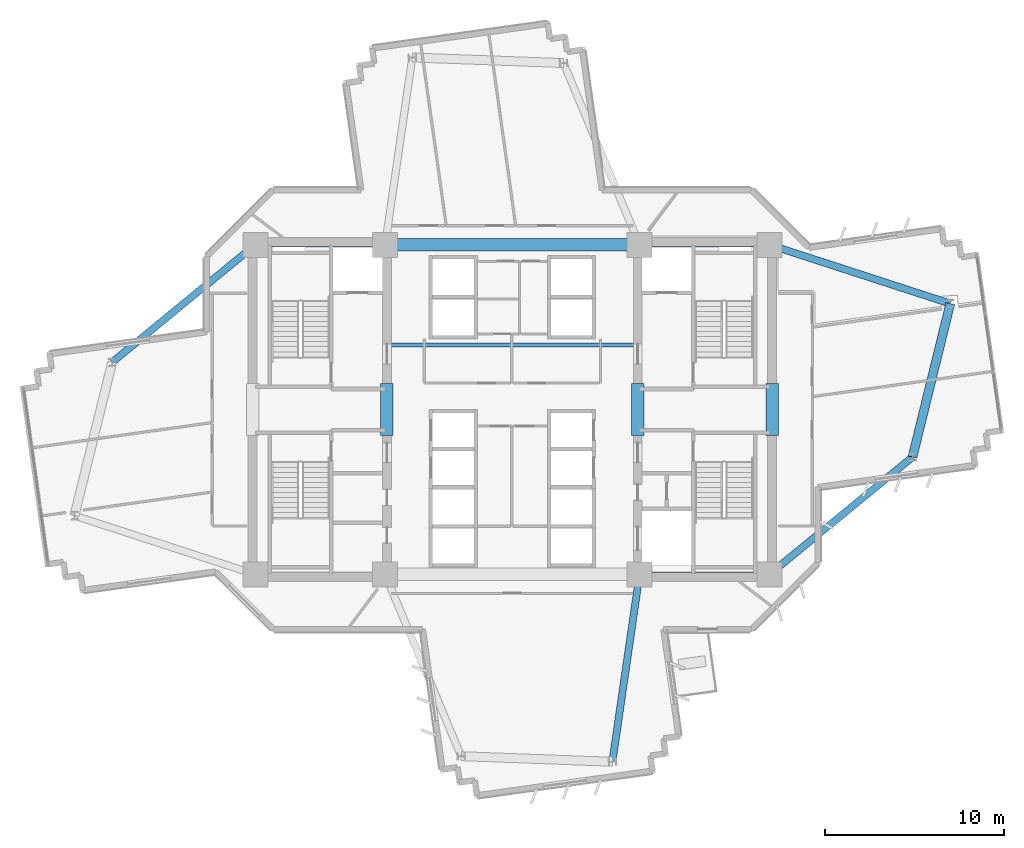
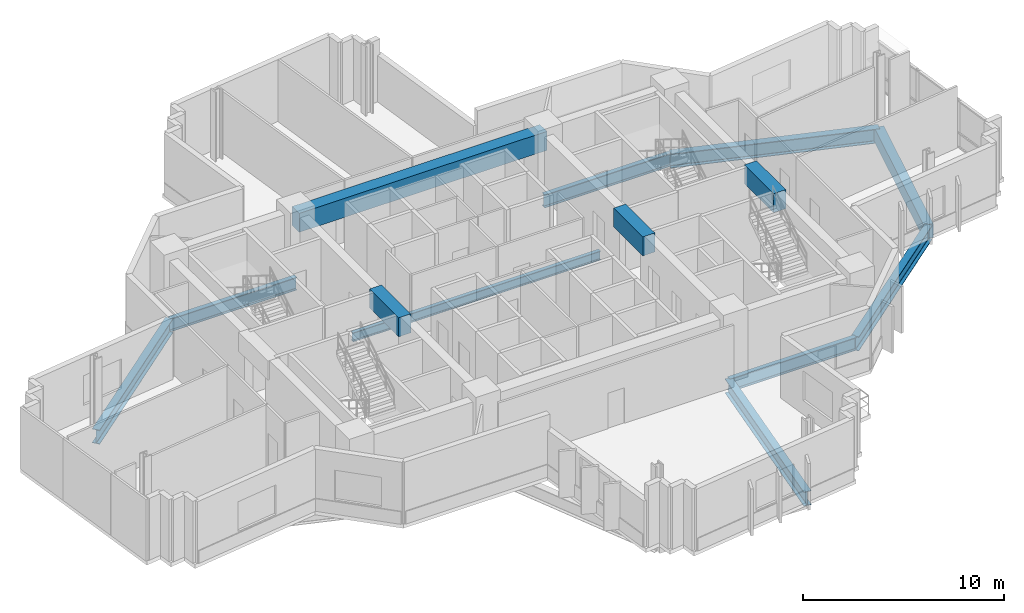
# One storey, part 3 of 14: 13 beams.
"""IFC4 building model written with IfcOpenShell, lengths in metres."""

from ifc_helpers import new_model, si_unit, direction, frame, origin, origin_2d, place, context, subcontext, project, spatial, rectangle, i_section, extrude, source, transform, mapped, material, material_profile, profile_set, type_object, element, save


model = new_model("IFC4")

# Units and contexts
model_context = context("Model", 3, precision=1e-05, world=origin(), true_north=direction((0.0, 1.0)))
body_context = subcontext(model_context, "Body", "Model", "MODEL_VIEW")
ifc_project = project(units=[si_unit("LENGTHUNIT", "METRE"), si_unit("AREAUNIT", "SQUARE_METRE"), si_unit("VOLUMEUNIT", "CUBIC_METRE"), si_unit("PLANEANGLEUNIT", "RADIAN"), si_unit("MASSUNIT", "GRAM", prefix="KILO")], contexts=[model_context])

# Site, building, storey
site_placement = place(None, origin())
site = spatial("IfcSite", under=ifc_project, at=site_placement, CompositionType="ELEMENT")
building_placement = place(site_placement, origin())
building = spatial("IfcBuilding", under=site, at=building_placement, Name="Zahravan Cultural Tower", CompositionType="ELEMENT")
storey_placement = place(building_placement, frame((0.0, 0.0, 121.5)))
storey = spatial("IfcBuildingStorey", under=building, at=storey_placement, Name="L27", CompositionType="ELEMENT", Elevation=121.5)

# Beams
ifc_material_1 = material(Name="Concrete C50/60", Category="concrete")
ifc_material_profile_1 = material_profile(ifc_material_1, rectangle(XDim=0.699951171875, YDim=1.14990234375, at=origin_2d()), Name="RC700X1150")
ifc_profile_set_1 = profile_set([ifc_material_profile_1], Name="Concrete C50/60")
beam_type_1 = type_object("IfcBeamType", Name="BM-LN-RC700X1150", PredefinedType="LINTEL", material=ifc_profile_set_1)
shared_shape_1 = source(origin(), body_context, "Body", "SweptSolid", [
    extrude(rectangle(XDim=0.699951171875, YDim=1.14990234375, at=origin_2d()), origin(), (0.0, 0.0, 1.0), 14.2001953125),
])
beam_1_placement = place(storey_placement, frame((28.89990234375, 36.199951171875, 3.175048828125), z_axis=(1.0, 0.0, 0.0), x_axis=(0.0, 1.0, 0.0)))
element("IfcBeam", 1, at=beam_1_placement, inside=storey, type_object=beam_type_1, Name="L27 Beam LN-L27-N", PredefinedType="LINTEL", context=body_context, shape_type="MappedRepresentation", body=[
    mapped(shared_shape_1, transform((0.0, 0.0, 0.0), x_axis=(1.0, 0.0, 0.0), y_axis=(0.0, 1.0, 0.0), z_axis=(0.0, 0.0, 1.0), scale=1.0)),
])
shared_shape_2 = source(origin(), body_context, "Body", "SweptSolid", [
    extrude(rectangle(XDim=0.699951171875, YDim=1.14990234375, at=origin_2d()), origin(), (0.0, 0.0, 1.0), 2.89990234375),
])
for number, where, z_axis, x_axis, name in (
    (2, (29.0, 25.550048828125, 3.175048828125), (0.0, 1.0, 0.0), (-1.0, 0.0, 0.0), "L27 Beam LN-L27-PWE"),
    (3, (43.0, 25.550048828125, 3.175048828125), (0.0, 1.0, 0.0), (-1.0, 0.0, 0.0), "L27 Beam LN-L27-PEW"),
    (4, (50.5, 25.550048828125, 3.175048828125), (0.0, 1.0, 0.0), (-1.0, 0.0, 0.0), "L27 Beam LN-L27-PEE"),
):
    element("IfcBeam", number, at=place(storey_placement, frame(where, z_axis=z_axis, x_axis=x_axis)), inside=storey, type_object=beam_type_1, Name=name, PredefinedType="LINTEL", context=body_context, shape_type="MappedRepresentation", body=[
        mapped(shared_shape_2, transform((0.0, 0.0, 0.0), x_axis=(1.0, 0.0, 0.0), y_axis=(0.0, 1.0, 0.0), z_axis=(0.0, 0.0, 1.0), scale=1.0)),
    ])
ifc_material_2 = material(Name="Steel ASTM A992 Grade 50", Category="steel")
ifc_material_profile_2 = material_profile(ifc_material_2, i_section(OverallWidth=0.26611328125, OverallDepth=0.780029296875, WebThickness=0.0166015625, FlangeThickness=0.030029296875, FilletRadius=0.01904296875, at=origin_2d()), Name="W30X148")
ifc_profile_set_2 = profile_set([ifc_material_profile_2], Name="Steel ASTM A992 Grade 50")
beam_type_2 = type_object("IfcBeamType", Name="BM-G-W30X148", PredefinedType="BEAM", material=ifc_profile_set_2)
shared_shape_3 = source(origin(), body_context, "Body", "SweptSolid", [
    extrude(i_section(OverallWidth=0.26611328125, OverallDepth=0.780029296875, WebThickness=0.0166015625, FlangeThickness=0.030029296875, FilletRadius=0.01904296875, at=origin_2d()), origin(), (0.0, 0.0, 1.0), 7.25),
])
for number, where, z_axis, x_axis, name in (
    (5, (21.64990234375, 36.199951171875, -0.639892578125), (1.0, 0.0, 0.0), (0.0, 1.0, 0.0), "L27 Beam BG-L27-02"),
    (6, (43.10009765625, 17.800048828125, -0.639892578125), (1.0, 0.0, 0.0), (0.0, 1.0, 0.0), "L27 Beam BG-L27-04"),
    (7, (43.10009765625, 36.199951171875, -0.639892578125), (1.0, 0.0, 0.0), (0.0, 1.0, 0.0), "L27 Beam BG-L27-05"),
):
    element("IfcBeam", number, at=place(storey_placement, frame(where, z_axis=z_axis, x_axis=x_axis)), inside=storey, type_object=beam_type_2, Name=name, PredefinedType="BEAM", context=body_context, shape_type="MappedRepresentation", body=[
        mapped(shared_shape_3, transform((0.0, 0.0, 0.0), x_axis=(1.0, 0.0, 0.0), y_axis=(0.0, 1.0, 0.0), z_axis=(0.0, 0.0, 1.0), scale=1.0)),
    ])
ifc_material_profile_3 = material_profile(ifc_material_1, rectangle(XDim=0.5, YDim=0.85009765625, at=origin_2d()), Name="RC500X850")
ifc_profile_set_3 = profile_set([ifc_material_profile_3], Name="Concrete C50/60")
beam_type_3 = type_object("IfcBeamType", Name="BM-SP-RC500X850", PredefinedType="SPANDREL", material=ifc_profile_set_3)
shared_shape_4 = source(origin(), body_context, "Body", "SweptSolid", [
    extrude(rectangle(XDim=0.5, YDim=0.85009765625, at=origin_2d()), origin(), (0.0, 0.0, 1.0), 8.8232421875),
])
beam_2_placement = place(storey_placement, frame((58.339111328125, 24.351806640625, -0.675048828125), z_axis=(0.238848860516, 0.971056755206, 0.0), x_axis=(-0.971056755206, 0.238848860516, 0.0)))
element("IfcBeam", 8, at=beam_2_placement, inside=storey, type_object=beam_type_3, Name="L27 Beam SP-L27-16", PredefinedType="SPANDREL", context=body_context, shape_type="MappedRepresentation", body=[
    mapped(shared_shape_4, transform((0.0, 0.0, 0.0), x_axis=(1.0, 0.0, 0.0), y_axis=(0.0, 1.0, 0.0), z_axis=(0.0, 0.0, 1.0), scale=1.0)),
])
ifc_material_profile_4 = material_profile(ifc_material_2, i_section(OverallWidth=0.39990234375, OverallDepth=0.862060546875, WebThickness=0.019775390625, FlangeThickness=0.032470703125, FilletRadius=0.02001953125, at=origin_2d()), Name="W33X221")
ifc_profile_set_4 = profile_set([ifc_material_profile_4], Name="Steel ASTM A992 Grade 50")
beam_type_4 = type_object("IfcBeamType", Name="BM-G-W33X221", PredefinedType="BEAM", material=ifc_profile_set_4)
shared_shape_5 = source(origin(), body_context, "Body", "SweptSolid", [
    extrude(i_section(OverallWidth=0.39990234375, OverallDepth=0.862060546875, WebThickness=0.019775390625, FlangeThickness=0.032470703125, FilletRadius=0.02001953125, at=origin_2d()), origin(), (0.0, 0.0, 1.0), 10.615966796875),
])
beam_3_placement = place(storey_placement, frame((50.35009765625, 36.199951171875, -0.680908203125), z_axis=(0.951063640083, -0.30899506875, 0.0), x_axis=(0.30899506875, 0.951063640083, 0.0)))
element("IfcBeam", 9, at=beam_3_placement, inside=storey, type_object=beam_type_4, Name="L27 Beam BG-L27-11", PredefinedType="BEAM", context=body_context, shape_type="MappedRepresentation", body=[
    mapped(shared_shape_5, transform((0.0, 0.0, 0.0), x_axis=(1.0, 0.0, 0.0), y_axis=(0.0, 1.0, 0.0), z_axis=(0.0, 0.0, 1.0), scale=1.0)),
])
shared_shape_6 = source(origin(), body_context, "Body", "SweptSolid", [
    extrude(i_section(OverallWidth=0.39990234375, OverallDepth=0.862060546875, WebThickness=0.019775390625, FlangeThickness=0.032470703125, FilletRadius=0.02001953125, at=origin_2d()), origin(), (0.0, 0.0, 1.0), 10.5673828125),
])
beam_4_placement = place(storey_placement, frame((43.10009765625, 17.800048828125, -0.680908203125), z_axis=(-0.143377913539, -0.989668011966, 0.0), x_axis=(0.989668011966, -0.143377913539, 0.0)))
element("IfcBeam", 10, at=beam_4_placement, inside=storey, type_object=beam_type_4, Name="L27 Beam BG-L27-09", PredefinedType="BEAM", context=body_context, shape_type="MappedRepresentation", body=[
    mapped(shared_shape_6, transform((0.0, 0.0, 0.0), x_axis=(1.0, 0.0, 0.0), y_axis=(0.0, 1.0, 0.0), z_axis=(0.0, 0.0, 1.0), scale=1.0)),
])
shared_shape_7 = source(origin(), body_context, "Body", "SweptSolid", [
    extrude(i_section(OverallWidth=0.39990234375, OverallDepth=0.862060546875, WebThickness=0.019775390625, FlangeThickness=0.032470703125, FilletRadius=0.02001953125, at=origin_2d()), origin(), (0.0, 0.0, 1.0), 10.33203125),
])
for number, where, z_axis, x_axis, name in (
    (11, (50.35009765625, 17.800048828125, -0.680908203125), (0.773231409473, 0.634123952713, 0.0), (-0.634123952713, 0.773231409473, 0.0), "L27 Beam BG-L27-10"),
    (12, (21.64990234375, 36.199951171875, -0.680908203125), (-0.773231409473, -0.634123952713, 0.0), (0.634123952713, -0.773231409473, 0.0), "L27 Beam BG-L27-14"),
):
    element("IfcBeam", number, at=place(storey_placement, frame(where, z_axis=z_axis, x_axis=x_axis)), inside=storey, type_object=beam_type_4, Name=name, PredefinedType="BEAM", context=body_context, shape_type="MappedRepresentation", body=[
        mapped(shared_shape_7, transform((0.0, 0.0, 0.0), x_axis=(1.0, 0.0, 0.0), y_axis=(0.0, 1.0, 0.0), z_axis=(0.0, 0.0, 1.0), scale=1.0)),
    ])
ifc_material_profile_5 = material_profile(ifc_material_2, i_section(OverallWidth=0.214111328125, OverallDepth=0.549072265625, WebThickness=0.0146484375, FlangeThickness=0.023681640625, FilletRadius=0.013916015625, at=origin_2d()), Name="W21X93")
ifc_profile_set_5 = profile_set([ifc_material_profile_5], Name="Steel ASTM A992 Grade 50")
beam_type_5 = type_object("IfcBeamType", Name="BM-J-W21X93", PredefinedType="JOIST", material=ifc_profile_set_5)
shared_shape_8 = source(origin(), body_context, "Body", "SweptSolid", [
    extrude(i_section(OverallWidth=0.214111328125, OverallDepth=0.549072265625, WebThickness=0.0146484375, FlangeThickness=0.023681640625, FilletRadius=0.013916015625, at=origin_2d()), origin(), (0.0, 0.0, 1.0), 14.2001953125),
])
beam_5_placement = place(storey_placement, frame((28.89990234375, 30.60009765625, -0.5244140625), z_axis=(1.0, 0.0, 0.0), x_axis=(0.0, 1.0, 0.0)))
element("IfcBeam", 13, at=beam_5_placement, inside=storey, type_object=beam_type_5, Name="L27 Beam BJ-L27-19", PredefinedType="JOIST", context=body_context, shape_type="MappedRepresentation", body=[
    mapped(shared_shape_8, transform((0.0, 0.0, 0.0), x_axis=(1.0, 0.0, 0.0), y_axis=(0.0, 1.0, 0.0), z_axis=(0.0, 0.0, 1.0), scale=1.0)),
])

save(model, "model.ifc")
